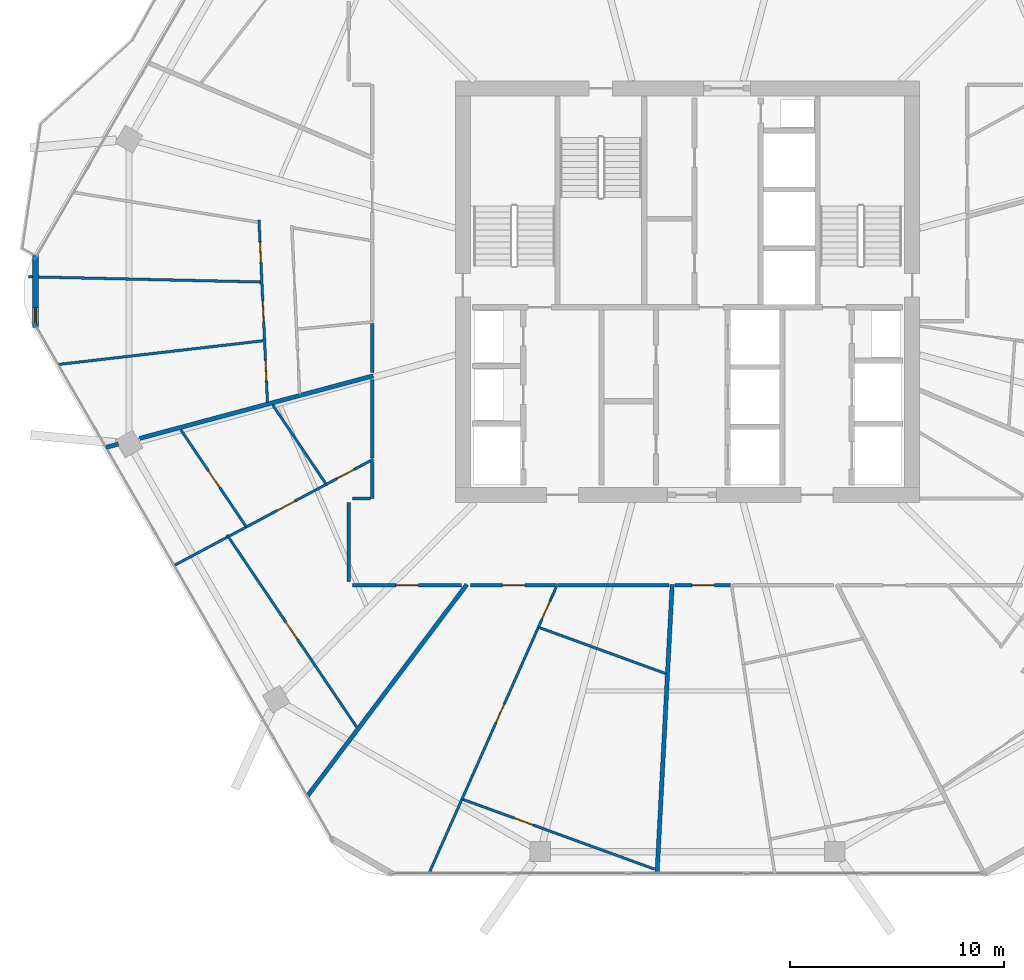
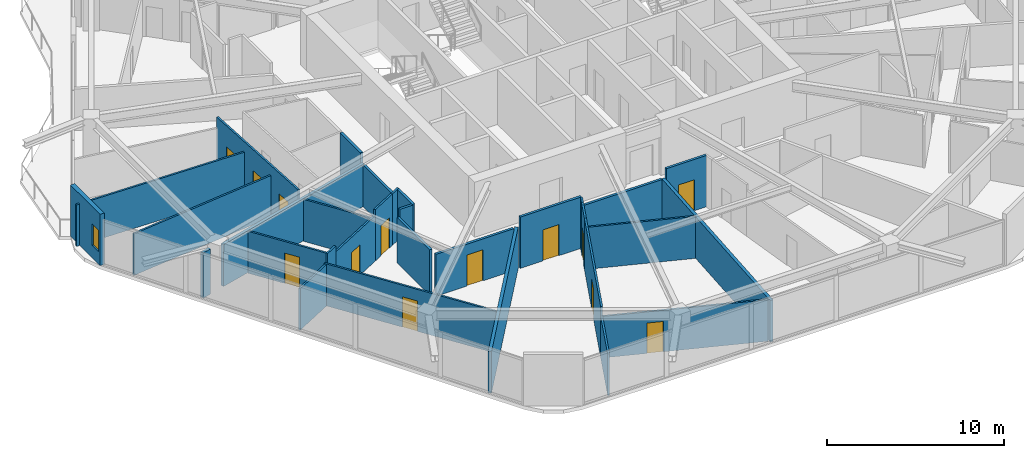
# One storey, part 18 of 27: 31 walls, 13 doors, 1 window, 14 openings.
"""IFC4 building model written with IfcOpenShell, lengths in metres."""

from ifc_helpers import new_model, si_unit, direction, frame, frame_2d, origin, place, context, subcontext, project, spatial, rectangle, extrude, material, layer, layer_set, type_object, element, fill, save


model = new_model("IFC4")

# Units and contexts
model_context = context("Model", 3, precision=1e-05, world=origin(), true_north=direction((0.0, 1.0)))
body_context = subcontext(model_context, "Body", "Model", "MODEL_VIEW")
ifc_project = project(units=[si_unit("LENGTHUNIT", "METRE"), si_unit("AREAUNIT", "SQUARE_METRE"), si_unit("VOLUMEUNIT", "CUBIC_METRE"), si_unit("PLANEANGLEUNIT", "RADIAN"), si_unit("MASSUNIT", "GRAM", prefix="KILO")], contexts=[model_context])

# Site, building, storey
site_placement = place(None, origin())
site = spatial("IfcSite", under=ifc_project, at=site_placement, CompositionType="ELEMENT")
building_placement = place(site_placement, origin())
building = spatial("IfcBuilding", under=site, at=building_placement, Name="Zuhravey Tower", CompositionType="ELEMENT")
storey_placement = place(building_placement, frame((0.0, 0.0, 188.39990234375)))
storey = spatial("IfcBuildingStorey", under=building, at=storey_placement, Name="L47", CompositionType="ELEMENT", Elevation=188.39990234375)

# Wall, opening, door
ifc_material_1 = material(Name="Gypsum fire-rated stud partition")
ifc_layer_1 = layer(ifc_material_1, 0.159912109375)
ifc_layer_set_1 = layer_set([ifc_layer_1], Name="Gypsum fire-rated stud partition")
wall_type_1 = type_object("IfcWallType", Name="Corridor Fire Partition 160", PredefinedType="PARTITIONING", material=ifc_layer_set_1)
wall_1_placement = place(storey_placement, frame((20.35009765625, 18.27001953125, 0.0), z_axis=(0.0, 0.0, 1.0), x_axis=(1.0, 0.0, 0.0)))
wall_1 = element("IfcWall", 1, at=wall_1_placement, inside=storey, type_object=wall_type_1, Name="L47 IW16 Partition 042", PredefinedType="PARTITIONING", context=body_context, shape_type="SweptSolid", body=[
    extrude(rectangle(XDim=5.08935546875, YDim=0.159912109375, at=frame_2d((2.544677734375, 0.0))), origin(), (0.0, 0.0, 1.0), 2.900146484375),
])
opening_1_placement = place(wall_1_placement, frame((2.019775390625, 0.0, 0.0)))
opening_1 = element("IfcOpeningElement", 2, at=opening_1_placement, cuts=wall_1, Name="Opening APD1", PredefinedType="OPENING", context=body_context, shape_type="SweptSolid", body=[
    extrude(rectangle(XDim=1.050048828125, YDim=2.14990234375, at=frame_2d((0.52490234375, 1.074951171875))), frame((0.0, 0.092041015625, 0.0), z_axis=(0.0, -1.0, 0.0), x_axis=(1.0, 0.0, 0.0)), (0.0, 0.0, 1.0), 0.183837890625),
])
ifc_material_2 = material(Name="Solid-core oak fire-rated leaf")
door_type_1 = type_object("IfcDoorType", Name="Apartment Entrance Fire Door 1050x2150", OperationType="NOTDEFINED", PredefinedType="DOOR", material=ifc_material_2)
door_1_placement = place(opening_1_placement, frame((1.050048828125, 0.0, 0.0), z_axis=(0.0, 0.0, 1.0), x_axis=(-1.0, 0.0, 0.0)))
door_1 = element("IfcDoor", 3, at=door_1_placement, inside=storey, type_object=door_type_1, Name="L47 Door 042.1", OperationType="SINGLE_SWING_RIGHT", OverallHeight=2.14990234375, OverallWidth=1.050048828125, PredefinedType="DOOR", context=body_context, shape_type="SweptSolid", body=[
    extrude(rectangle(XDim=1.050048828125, YDim=2.14990234375, at=frame_2d((0.52490234375, 1.074951171875))), frame((0.0, 0.02490234375, 0.0), z_axis=(0.0, -1.0, 0.0), x_axis=(1.0, 0.0, 0.0)), (0.0, 0.0, 1.0), 0.050048828125),
])
fill(opening_1, door_1)

wall_2_placement = place(storey_placement, frame((25.865234375, 18.27001953125, 0.0), z_axis=(0.0, 0.0, 1.0), x_axis=(1.0, 0.0, 0.0)))
wall_2 = element("IfcWall", 4, at=wall_2_placement, inside=storey, type_object=wall_type_1, Name="L47 IW16 Partition 046", PredefinedType="PARTITIONING", context=body_context, shape_type="SweptSolid", body=[
    extrude(rectangle(XDim=4.011474609375, YDim=0.159912109375, at=frame_2d((2.005859375, 0.0))), origin(), (0.0, 0.0, 1.0), 3.550048828125),
])
opening_2_placement = place(wall_2_placement, frame((1.480712890625, 0.0, 0.0)))
opening_2 = element("IfcOpeningElement", 5, at=opening_2_placement, cuts=wall_2, Name="Opening APD1", PredefinedType="OPENING", context=body_context, shape_type="SweptSolid", body=[
    extrude(rectangle(XDim=1.050048828125, YDim=2.14990234375, at=frame_2d((0.52490234375, 1.074951171875))), frame((0.0, 0.092041015625, 0.0), z_axis=(0.0, -1.0, 0.0), x_axis=(1.0, 0.0, 0.0)), (0.0, 0.0, 1.0), 0.183837890625),
])
door_2_placement = place(opening_2_placement, frame((1.050048828125, 0.0, 0.0), z_axis=(0.0, 0.0, 1.0), x_axis=(-1.0, 0.0, 0.0)))
door_2 = element("IfcDoor", 6, at=door_2_placement, inside=storey, type_object=door_type_1, Name="L47 Door 046.1", OperationType="SINGLE_SWING_RIGHT", OverallHeight=2.14990234375, OverallWidth=1.050048828125, PredefinedType="DOOR", context=body_context, shape_type="SweptSolid", body=[
    extrude(rectangle(XDim=1.050048828125, YDim=2.14990234375, at=frame_2d((0.52490234375, 1.074951171875))), frame((0.0, 0.02490234375, 0.0), z_axis=(0.0, -1.0, 0.0), x_axis=(1.0, 0.0, 0.0)), (0.0, 0.0, 1.0), 0.050048828125),
])
fill(opening_2, door_2)

wall_3_placement = place(storey_placement, frame((35.420654296875, 18.27001953125, 0.0), z_axis=(0.0, 0.0, 1.0), x_axis=(1.0, 0.0, 0.0)))
wall_3 = element("IfcWall", 7, at=wall_3_placement, inside=storey, type_object=wall_type_1, Name="L47 IW16 Partition 050", PredefinedType="PARTITIONING", context=body_context, shape_type="SweptSolid", body=[
    extrude(rectangle(XDim=2.615966796875, YDim=0.159912109375, at=frame_2d((1.30810546875, 0.0))), origin(), (0.0, 0.0, 1.0), 3.550048828125),
])
opening_3_placement = place(wall_3_placement, frame((0.782958984375, 0.0, 0.0)))
opening_3 = element("IfcOpeningElement", 8, at=opening_3_placement, cuts=wall_3, Name="Opening APD1", PredefinedType="OPENING", context=body_context, shape_type="SweptSolid", body=[
    extrude(rectangle(XDim=1.050048828125, YDim=2.14990234375, at=frame_2d((0.52490234375, 1.074951171875))), frame((0.0, 0.092041015625, 0.0), z_axis=(0.0, -1.0, 0.0), x_axis=(1.0, 0.0, 0.0)), (0.0, 0.0, 1.0), 0.183837890625),
])
door_3_placement = place(opening_3_placement, frame((1.050048828125, 0.0, 0.0), z_axis=(0.0, 0.0, 1.0), x_axis=(-1.0, 0.0, 0.0)))
door_3 = element("IfcDoor", 9, at=door_3_placement, inside=storey, type_object=door_type_1, Name="L47 Door 050.1", OperationType="SINGLE_SWING_RIGHT", OverallHeight=2.14990234375, OverallWidth=1.050048828125, PredefinedType="DOOR", context=body_context, shape_type="SweptSolid", body=[
    extrude(rectangle(XDim=1.050048828125, YDim=2.14990234375, at=frame_2d((0.52490234375, 1.074951171875))), frame((0.0, 0.02490234375, 0.0), z_axis=(0.0, -1.0, 0.0), x_axis=(1.0, 0.0, 0.0)), (0.0, 0.0, 1.0), 0.050048828125),
])
fill(opening_3, door_3)

# Walls
wall_4_placement = place(storey_placement, frame((21.27001953125, 30.512939453125, 0.0), z_axis=(0.0, 0.0, 1.0), x_axis=(0.0, -1.0, 0.0)))
element("IfcWall", 10, at=wall_4_placement, inside=storey, type_object=wall_type_1, Name="L47 IW16 Partition 137", PredefinedType="PARTITIONING", context=body_context, shape_type="SweptSolid", body=[
    extrude(rectangle(XDim=2.3017578125, YDim=0.159912109375, at=frame_2d((1.15087890625, 0.0))), origin(), (0.0, 0.0, 1.0), 3.550048828125),
])
wall_5_placement = place(storey_placement, frame((20.169921875, 22.14990234375, 0.0), z_axis=(0.0, 0.0, 1.0), x_axis=(0.0, -1.0, 0.0)))
element("IfcWall", 11, at=wall_5_placement, inside=storey, type_object=wall_type_1, Name="L47 IW16 Partition 138", PredefinedType="PARTITIONING", context=body_context, shape_type="SweptSolid", body=[
    extrude(rectangle(XDim=3.699951171875, YDim=0.159912109375, at=frame_2d((1.85009765625, 0.0))), origin(), (0.0, 0.0, 1.0), 3.150146484375),
])
wall_6_placement = place(storey_placement, frame((21.27001953125, 24.064453125, 0.0), z_axis=(0.0, 0.0, 1.0), x_axis=(0.0, -1.0, 0.0)))
element("IfcWall", 12, at=wall_6_placement, inside=storey, type_object=wall_type_1, Name="L47 IW16 Partition 139", PredefinedType="PARTITIONING", context=body_context, shape_type="SweptSolid", body=[
    extrude(rectangle(XDim=1.734375, YDim=0.159912109375, at=frame_2d((0.8671875, 0.0))), origin(), (0.0, 0.0, 1.0), 3.550048828125),
])
wall_7_placement = place(storey_placement, frame((21.181884765625, 22.330078125, 0.0), z_axis=(0.0, 0.0, 1.0), x_axis=(-1.0, 0.0, 0.0)))
element("IfcWall", 13, at=wall_7_placement, inside=storey, type_object=wall_type_1, Name="L47 IW16 Partition 140", PredefinedType="PARTITIONING", context=body_context, shape_type="SweptSolid", body=[
    extrude(rectangle(XDim=0.831787109375, YDim=0.159912109375, at=frame_2d((0.416015625, 0.0))), origin(), (0.0, 0.0, 1.0), 3.550048828125),
])
wall_8_placement = place(storey_placement, frame((21.27001953125, 27.894287109375, 0.0), z_axis=(0.0, 0.0, 1.0), x_axis=(0.0, -1.0, 0.0)))
element("IfcWall", 14, at=wall_8_placement, inside=storey, type_object=wall_type_1, Name="L47 IW16 Partition 141", PredefinedType="PARTITIONING", context=body_context, shape_type="SweptSolid", body=[
    extrude(rectangle(XDim=3.67578125, YDim=0.159912109375, at=frame_2d((1.837890625, 0.0))), origin(), (0.0, 0.0, 1.0), 2.900146484375),
])
wall_9_placement = place(storey_placement, frame((29.92041015625, 18.27001953125, 0.0), z_axis=(0.0, 0.0, 1.0), x_axis=(1.0, 0.0, 0.0)))
element("IfcWall", 15, at=wall_9_placement, inside=storey, type_object=wall_type_1, Name="L47 IW16 Partition 142", PredefinedType="PARTITIONING", context=body_context, shape_type="SweptSolid", body=[
    extrude(rectangle(XDim=5.2197265625, YDim=0.159912109375, at=frame_2d((2.60986328125, 0.0))), origin(), (0.0, 0.0, 1.0), 2.900146484375),
])

# Wall, opening, window
ifc_material_3 = material(Name="Precast concrete C40/50", Category="concrete")
ifc_layer_2 = layer(ifc_material_3, 0.280029296875)
ifc_layer_set_2 = layer_set([ifc_layer_2], Name="Precast concrete C40/50")
wall_type_2 = type_object("IfcWallType", Name="Crown Architectural Wall 280", PredefinedType="SOLIDWALL", material=ifc_layer_set_2)
wall_10_placement = place(storey_placement, frame((5.5283203125, 30.3173828125, 0.0), z_axis=(0.0, 0.0, 1.0), x_axis=(0.0, 1.0, 0.0)))
wall_10 = element("IfcWall", 16, at=wall_10_placement, inside=storey, type_object=wall_type_2, Name="L47 Rounded Corner Closure Wall EW28-06", PredefinedType="SOLIDWALL", context=body_context, shape_type="SweptSolid", body=[
    extrude(rectangle(XDim=3.365234375, YDim=0.280029296875, at=frame_2d((1.6826171875, 0.0))), origin(), (0.0, 0.0, 1.0), 3.550048828125),
])
opening_4_placement = place(wall_10_placement, frame((0.17919921875, 0.0, 0.85009765625)))
opening_4 = element("IfcOpeningElement", 17, at=opening_4_placement, cuts=wall_10, Name="Opening WN5", PredefinedType="OPENING", context=body_context, shape_type="SweptSolid", body=[
    extrude(rectangle(XDim=0.75, YDim=1.5, at=frame_2d((0.375, 0.75))), frame((0.0, 0.152099609375, 0.0), z_axis=(0.0, -1.0, 0.0), x_axis=(1.0, 0.0, 0.0)), (0.0, 0.0, 1.0), 0.303955078125),
])
ifc_material_4 = material(Name="Thermally broken aluminium and triple low-E glass", Category="aluminium")
window_type = type_object("IfcWindowType", Name="Residential Corner Casement Window 750x1500", PartitioningType="SINGLE_PANEL", PredefinedType="WINDOW", material=ifc_material_4)
window_placement = place(opening_4_placement, origin())
window = element("IfcWindow", 18, at=window_placement, inside=storey, type_object=window_type, Name="L47 Corner Casement Window WN5-06.1", OverallHeight=1.5, OverallWidth=0.75, PartitioningType="SINGLE_PANEL", PredefinedType="WINDOW", context=body_context, shape_type="SweptSolid", body=[
    extrude(rectangle(XDim=0.75, YDim=1.5, at=frame_2d((0.375, 0.75))), frame((0.0, 0.030029296875, 0.0), z_axis=(0.0, -1.0, 0.0), x_axis=(1.0, 0.0, 0.0)), (0.0, 0.0, 1.0), 0.06005859375),
])
fill(opening_4, window)

# Walls
ifc_material_5 = material(Name="Gypsum double-stud party assembly")
ifc_layer_3 = layer(ifc_material_5, 0.199951171875)
ifc_layer_set_3 = layer_set([ifc_layer_3], Name="Gypsum double-stud party assembly")
wall_type_3 = type_object("IfcWallType", Name="Inter-Tenancy Party Wall 200", PredefinedType="PARTITIONING", material=ifc_layer_set_3)
wall_11_placement = place(storey_placement, frame((21.31005859375, 28.063720703125, 0.0), z_axis=(0.0, 0.0, 1.0), x_axis=(-0.965930030449, -0.258803354456, 0.0)))
element("IfcWall", 19, at=wall_11_placement, inside=storey, type_object=wall_type_3, Name="L47 IW20 Partition 098", PredefinedType="PARTITIONING", context=body_context, shape_type="SweptSolid", body=[
    extrude(rectangle(XDim=11.307861328125, YDim=0.199951171875, at=frame_2d((5.65380859375, 0.0))), origin(), (0.0, 0.0, 1.0), 2.900146484375),
])
wall_12_placement = place(storey_placement, frame((9.3974609375, 24.871826171875, 0.0), z_axis=(0.0, 0.0, 1.0), x_axis=(-0.965944425699, -0.258749621182, 0.0)))
element("IfcWall", 20, at=wall_12_placement, inside=storey, type_object=wall_type_3, Name="L47 IW20 Partition 099", PredefinedType="PARTITIONING", context=body_context, shape_type="SweptSolid", body=[
    extrude(rectangle(XDim=0.60107421875, YDim=0.199951171875, at=frame_2d((0.300537109375, 0.0))), origin(), (0.0, 0.0, 1.0), 3.1220703125),
])
wall_13_placement = place(storey_placement, frame((25.683837890625, 18.31005859375, 0.0), z_axis=(0.0, 0.0, 1.0), x_axis=(-0.601811441108, -0.798638209299, 0.0)))
element("IfcWall", 21, at=wall_13_placement, inside=storey, type_object=wall_type_3, Name="L47 IW20 Partition 104", PredefinedType="PARTITIONING", context=body_context, shape_type="SweptSolid", body=[
    extrude(rectangle(XDim=12.388916015625, YDim=0.199951171875, at=frame_2d((6.1943359375, 0.0))), origin(), (0.0, 0.0, 1.0), 2.8701171875),
])
wall_14_placement = place(storey_placement, frame((35.282470703125, 18.31005859375, 0.0), z_axis=(0.0, 0.0, 1.0), x_axis=(-0.052327430458, -0.998629981536, 0.0)))
element("IfcWall", 22, at=wall_14_placement, inside=storey, type_object=wall_type_3, Name="L47 IW20 Partition 108", PredefinedType="PARTITIONING", context=body_context, shape_type="SweptSolid", body=[
    extrude(rectangle(XDim=13.51171875, YDim=0.199951171875, at=frame_2d((6.755859375, 0.0))), origin(), (0.0, 0.0, 1.0), 2.8701171875),
])

# Wall, openings, doors
ifc_material_6 = material(Name="Gypsum metal-stud partition")
ifc_layer_4 = layer(ifc_material_6, 0.1201171875)
ifc_layer_set_4 = layer_set([ifc_layer_4], Name="Gypsum metal-stud partition")
wall_type_4 = type_object("IfcWallType", Name="Unit Internal Partition 120", PredefinedType="PARTITIONING", material=ifc_layer_set_4)
wall_15_placement = place(storey_placement, frame((15.9697265625, 35.33837890625, 0.0), z_axis=(0.0, 0.0, 1.0), x_axis=(0.046402278603, -0.998922834127, 0.0)))
wall_15 = element("IfcWall", 23, at=wall_15_placement, inside=storey, type_object=wall_type_4, Name="L47 IW12 Partition 036", PredefinedType="PARTITIONING", context=body_context, shape_type="SweptSolid", body=[
    extrude(rectangle(XDim=8.52880859375, YDim=0.1201171875, at=frame_2d((4.264404296875, 0.0))), origin(), (0.0, 0.0, 1.0), 3.550048828125),
])
opening_5_placement = place(wall_15_placement, frame((1.022216796875, 0.0, 0.0)))
opening_5 = element("IfcOpeningElement", 24, at=opening_5_placement, cuts=wall_15, Name="Opening IND1", PredefinedType="OPENING", context=body_context, shape_type="SweptSolid", body=[
    extrude(rectangle(XDim=0.949951171875, YDim=2.10009765625, at=frame_2d((0.47509765625, 1.050048828125))), frame((0.0, 0.072021484375, 0.0), z_axis=(0.0, -1.0, 0.0), x_axis=(1.0, 0.0, 0.0)), (0.0, 0.0, 1.0), 0.14404296875),
])
opening_6_placement = place(wall_15_placement, frame((3.789306640625, 0.0, 0.0)))
opening_6 = element("IfcOpeningElement", 25, at=opening_6_placement, cuts=wall_15, Name="Opening IND1", PredefinedType="OPENING", context=body_context, shape_type="SweptSolid", body=[
    extrude(rectangle(XDim=0.949951171875, YDim=2.10009765625, at=frame_2d((0.47509765625, 1.050048828125))), frame((0.0, 0.072021484375, 0.0), z_axis=(0.0, -1.0, 0.0), x_axis=(1.0, 0.0, 0.0)), (0.0, 0.0, 1.0), 0.14404296875),
])
opening_7_placement = place(wall_15_placement, frame((6.556396484375, 0.0, 0.0)))
opening_7 = element("IfcOpeningElement", 26, at=opening_7_placement, cuts=wall_15, Name="Opening IND1", PredefinedType="OPENING", context=body_context, shape_type="SweptSolid", body=[
    extrude(rectangle(XDim=0.949951171875, YDim=2.10009765625, at=frame_2d((0.47509765625, 1.050048828125))), frame((0.0, 0.072021484375, 0.0), z_axis=(0.0, -1.0, 0.0), x_axis=(1.0, 0.0, 0.0)), (0.0, 0.0, 1.0), 0.14404296875),
])
ifc_material_7 = material(Name="Painted engineered timber leaf", Category="wood")
door_type_2 = type_object("IfcDoorType", Name="Internal Room & Bedroom Door 950x2100", OperationType="NOTDEFINED", PredefinedType="DOOR", material=ifc_material_7)
door_4_placement = place(opening_5_placement, frame((0.949951171875, 0.0, 0.0), z_axis=(0.0, 0.0, 1.0), x_axis=(-1.0, 0.0, 0.0)))
door_4 = element("IfcDoor", 27, at=door_4_placement, inside=storey, type_object=door_type_2, Name="Apartment L47-05 Bedroom 1 Door", OperationType="SINGLE_SWING_RIGHT", OverallHeight=2.10009765625, OverallWidth=0.949951171875, PredefinedType="DOOR", context=body_context, shape_type="SweptSolid", body=[
    extrude(rectangle(XDim=0.949951171875, YDim=2.10009765625, at=frame_2d((0.47509765625, 1.050048828125))), frame((0.0, 0.02490234375, 0.0), z_axis=(0.0, -1.0, 0.0), x_axis=(1.0, 0.0, 0.0)), (0.0, 0.0, 1.0), 0.050048828125),
])
fill(opening_5, door_4)
door_5_placement = place(opening_6_placement, frame((0.949951171875, 0.0, 0.0), z_axis=(0.0, 0.0, 1.0), x_axis=(-1.0, 0.0, 0.0)))
door_5 = element("IfcDoor", 28, at=door_5_placement, inside=storey, type_object=door_type_2, Name="Apartment L47-05 Bedroom 2 Door", OperationType="SINGLE_SWING_LEFT", OverallHeight=2.10009765625, OverallWidth=0.949951171875, PredefinedType="DOOR", context=body_context, shape_type="SweptSolid", body=[
    extrude(rectangle(XDim=0.949951171875, YDim=2.10009765625, at=frame_2d((0.47509765625, 1.050048828125))), frame((0.0, 0.02490234375, 0.0), z_axis=(0.0, -1.0, 0.0), x_axis=(1.0, 0.0, 0.0)), (0.0, 0.0, 1.0), 0.050048828125),
])
fill(opening_6, door_5)
door_6_placement = place(opening_7_placement, frame((0.949951171875, 0.0, 0.0), z_axis=(0.0, 0.0, 1.0), x_axis=(-1.0, 0.0, 0.0)))
door_6 = element("IfcDoor", 29, at=door_6_placement, inside=storey, type_object=door_type_2, Name="Apartment L47-05 Bedroom 3 Door", OperationType="SINGLE_SWING_RIGHT", OverallHeight=2.10009765625, OverallWidth=0.949951171875, PredefinedType="DOOR", context=body_context, shape_type="SweptSolid", body=[
    extrude(rectangle(XDim=0.949951171875, YDim=2.10009765625, at=frame_2d((0.47509765625, 1.050048828125))), frame((0.0, 0.02490234375, 0.0), z_axis=(0.0, -1.0, 0.0), x_axis=(1.0, 0.0, 0.0)), (0.0, 0.0, 1.0), 0.050048828125),
])
fill(opening_7, door_6)

# Wall, opening, door
wall_16_placement = place(storey_placement, frame((14.474609375, 20.62939453125, 0.0), z_axis=(0.0, 0.0, 1.0), x_axis=(0.559188221227, -0.829040730749, 0.0)))
wall_16 = element("IfcWall", 30, at=wall_16_placement, inside=storey, type_object=wall_type_4, Name="L47 IW12 Partition 038", PredefinedType="PARTITIONING", context=body_context, shape_type="SweptSolid", body=[
    extrude(rectangle(XDim=10.814208984375, YDim=0.1201171875, at=frame_2d((5.4072265625, 0.0))), origin(), (0.0, 0.0, 1.0), 2.900146484375),
])
opening_8_placement = place(wall_16_placement, frame((4.93212890625, 0.0, 0.0)))
opening_8 = element("IfcOpeningElement", 31, at=opening_8_placement, cuts=wall_16, Name="Opening IND1", PredefinedType="OPENING", context=body_context, shape_type="SweptSolid", body=[
    extrude(rectangle(XDim=0.949951171875, YDim=2.10009765625, at=frame_2d((0.47509765625, 1.050048828125))), frame((0.0, 0.072021484375, 0.0), z_axis=(0.0, -1.0, 0.0), x_axis=(1.0, 0.0, 0.0)), (0.0, 0.0, 1.0), 0.14404296875),
])
door_7_placement = place(opening_8_placement, frame((0.949951171875, 0.0, 0.0), z_axis=(0.0, 0.0, 1.0), x_axis=(-1.0, 0.0, 0.0)))
door_7 = element("IfcDoor", 32, at=door_7_placement, inside=storey, type_object=door_type_2, Name="Apartment L47-06 Family Study Door", OperationType="SINGLE_SWING_RIGHT", OverallHeight=2.10009765625, OverallWidth=0.949951171875, PredefinedType="DOOR", context=body_context, shape_type="SweptSolid", body=[
    extrude(rectangle(XDim=0.949951171875, YDim=2.10009765625, at=frame_2d((0.47509765625, 1.050048828125))), frame((0.0, 0.02490234375, 0.0), z_axis=(0.0, -1.0, 0.0), x_axis=(1.0, 0.0, 0.0)), (0.0, 0.0, 1.0), 0.050048828125),
])
fill(opening_8, door_7)

wall_17_placement = place(storey_placement, frame((20.699951171875, 23.83740234375, 0.0), z_axis=(0.0, 0.0, 1.0), x_axis=(-0.882312188204, -0.47066463915, 0.0)))
wall_17 = element("IfcWall", 33, at=wall_17_placement, inside=storey, type_object=wall_type_4, Name="L47 IW12 Partition 039", PredefinedType="PARTITIONING", context=body_context, shape_type="SweptSolid", body=[
    extrude(rectangle(XDim=1.82421875, YDim=0.1201171875, at=frame_2d((0.912109375, 0.0))), origin(), (0.0, 0.0, 1.0), 3.550048828125),
])
opening_9_placement = place(wall_17_placement, frame((0.31640625, 0.0, 0.0)))
opening_9 = element("IfcOpeningElement", 34, at=opening_9_placement, cuts=wall_17, Name="Opening WCD1", PredefinedType="OPENING", context=body_context, shape_type="SweptSolid", body=[
    extrude(rectangle(XDim=0.89990234375, YDim=2.10009765625, at=frame_2d((0.449951171875, 1.050048828125))), frame((0.0, 0.072021484375, 0.0), z_axis=(0.0, -1.0, 0.0), x_axis=(1.0, 0.0, 0.0)), (0.0, 0.0, 1.0), 0.14404296875),
])
ifc_material_8 = material(Name="Moisture-resistant timber leaf", Category="wood")
door_type_3 = type_object("IfcDoorType", Name="Bathroom & WC Internal Door 900x2100", OperationType="NOTDEFINED", PredefinedType="DOOR", material=ifc_material_8)
door_8_placement = place(opening_9_placement, frame((0.89990234375, 0.0, 0.0), z_axis=(0.0, 0.0, 1.0), x_axis=(-1.0, 0.0, 0.0)))
door_8 = element("IfcDoor", 35, at=door_8_placement, inside=storey, type_object=door_type_3, Name="Apartment L47-06 Bathroom Door", OperationType="SINGLE_SWING_LEFT", OverallHeight=2.10009765625, OverallWidth=0.89990234375, PredefinedType="DOOR", context=body_context, shape_type="SweptSolid", body=[
    extrude(rectangle(XDim=0.89990234375, YDim=2.10009765625, at=frame_2d((0.449951171875, 1.050048828125))), frame((0.0, 0.02490234375, 0.0), z_axis=(0.0, -1.0, 0.0), x_axis=(1.0, 0.0, 0.0)), (0.0, 0.0, 1.0), 0.050048828125),
])
fill(opening_9, door_8)

wall_18_placement = place(storey_placement, frame((19.09033203125, 22.978515625, 0.0), z_axis=(0.0, 0.0, 1.0), x_axis=(-0.882290665846, -0.470704982936, 0.0)))
wall_18 = element("IfcWall", 36, at=wall_18_placement, inside=storey, type_object=wall_type_4, Name="L47 IW12 Partition 040", PredefinedType="PARTITIONING", context=body_context, shape_type="SweptSolid", body=[
    extrude(rectangle(XDim=4.23291015625, YDim=0.1201171875, at=frame_2d((2.116455078125, 0.0))), origin(), (0.0, 0.0, 1.0), 3.150146484375),
])
opening_10_placement = place(wall_18_placement, frame((1.616455078125, 0.0, 0.0)))
opening_10 = element("IfcOpeningElement", 37, at=opening_10_placement, cuts=wall_18, Name="Opening IND1", PredefinedType="OPENING", context=body_context, shape_type="SweptSolid", body=[
    extrude(rectangle(XDim=0.949951171875, YDim=2.10009765625, at=frame_2d((0.47509765625, 1.050048828125))), frame((0.0, 0.072021484375, 0.0), z_axis=(0.0, -1.0, 0.0), x_axis=(1.0, 0.0, 0.0)), (0.0, 0.0, 1.0), 0.14404296875),
])
door_9_placement = place(opening_10_placement, frame((0.949951171875, 0.0, 0.0), z_axis=(0.0, 0.0, 1.0), x_axis=(-1.0, 0.0, 0.0)))
door_9 = element("IfcDoor", 38, at=door_9_placement, inside=storey, type_object=door_type_2, Name="Apartment L47-06 Home Office Door", OperationType="SINGLE_SWING_RIGHT", OverallHeight=2.10009765625, OverallWidth=0.949951171875, PredefinedType="DOOR", context=body_context, shape_type="SweptSolid", body=[
    extrude(rectangle(XDim=0.949951171875, YDim=2.10009765625, at=frame_2d((0.47509765625, 1.050048828125))), frame((0.0, 0.02490234375, 0.0), z_axis=(0.0, -1.0, 0.0), x_axis=(1.0, 0.0, 0.0)), (0.0, 0.0, 1.0), 0.050048828125),
])
fill(opening_10, door_9)

wall_19_placement = place(storey_placement, frame((12.31689453125, 25.535888671875, 0.0), z_axis=(0.0, 0.0, 1.0), x_axis=(0.559205201825, -0.829029277078, 0.0)))
wall_19 = element("IfcWall", 39, at=wall_19_placement, inside=storey, type_object=wall_type_4, Name="L47 IW12 Partition 041", PredefinedType="PARTITIONING", context=body_context, shape_type="SweptSolid", body=[
    extrude(rectangle(XDim=5.4052734375, YDim=0.1201171875, at=frame_2d((2.70263671875, 0.0))), origin(), (0.0, 0.0, 1.0), 2.900146484375),
])
opening_11_placement = place(wall_19_placement, frame((2.31201171875, 0.0, 0.0)))
opening_11 = element("IfcOpeningElement", 40, at=opening_11_placement, cuts=wall_19, Name="Opening IND1", PredefinedType="OPENING", context=body_context, shape_type="SweptSolid", body=[
    extrude(rectangle(XDim=0.949951171875, YDim=2.10009765625, at=frame_2d((0.47509765625, 1.050048828125))), frame((0.0, 0.072021484375, 0.0), z_axis=(0.0, -1.0, 0.0), x_axis=(1.0, 0.0, 0.0)), (0.0, 0.0, 1.0), 0.14404296875),
])
door_10_placement = place(opening_11_placement, frame((0.949951171875, 0.0, 0.0), z_axis=(0.0, 0.0, 1.0), x_axis=(-1.0, 0.0, 0.0)))
door_10 = element("IfcDoor", 41, at=door_10_placement, inside=storey, type_object=door_type_2, Name="Apartment L47-06 Bedroom 1 Door", OperationType="SINGLE_SWING_LEFT", OverallHeight=2.10009765625, OverallWidth=0.949951171875, PredefinedType="DOOR", context=body_context, shape_type="SweptSolid", body=[
    extrude(rectangle(XDim=0.949951171875, YDim=2.10009765625, at=frame_2d((0.47509765625, 1.050048828125))), frame((0.0, 0.02490234375, 0.0), z_axis=(0.0, -1.0, 0.0), x_axis=(1.0, 0.0, 0.0)), (0.0, 0.0, 1.0), 0.050048828125),
])
fill(opening_11, door_10)

wall_20_placement = place(storey_placement, frame((29.645263671875, 17.699951171875, 0.0), z_axis=(0.0, 0.0, 1.0), x_axis=(-0.406138466053, -0.91381154862, 0.0)))
wall_20 = element("IfcWall", 42, at=wall_20_placement, inside=storey, type_object=wall_type_4, Name="L47 IW12 Partition 043", PredefinedType="PARTITIONING", context=body_context, shape_type="SweptSolid", body=[
    extrude(rectangle(XDim=1.543701171875, YDim=0.1201171875, at=frame_2d((0.77197265625, 0.0))), origin(), (0.0, 0.0, 1.0), 3.550048828125),
])
opening_12_placement = place(wall_20_placement, frame((0.199951171875, 0.0, 0.0)))
opening_12 = element("IfcOpeningElement", 43, at=opening_12_placement, cuts=wall_20, Name="Opening WCD1", PredefinedType="OPENING", context=body_context, shape_type="SweptSolid", body=[
    extrude(rectangle(XDim=0.89990234375, YDim=2.10009765625, at=frame_2d((0.449951171875, 1.050048828125))), frame((0.0, 0.072021484375, 0.0), z_axis=(0.0, -1.0, 0.0), x_axis=(1.0, 0.0, 0.0)), (0.0, 0.0, 1.0), 0.14404296875),
])
door_11_placement = place(opening_12_placement, origin())
door_11 = element("IfcDoor", 44, at=door_11_placement, inside=storey, type_object=door_type_3, Name="Apartment L47-07 Bathroom Door", OperationType="SINGLE_SWING_LEFT", OverallHeight=2.10009765625, OverallWidth=0.89990234375, PredefinedType="DOOR", context=body_context, shape_type="SweptSolid", body=[
    extrude(rectangle(XDim=0.89990234375, YDim=2.10009765625, at=frame_2d((0.449951171875, 1.050048828125))), frame((0.0, 0.02490234375, 0.0), z_axis=(0.0, -1.0, 0.0), x_axis=(1.0, 0.0, 0.0)), (0.0, 0.0, 1.0), 0.050048828125),
])
fill(opening_12, door_11)

wall_21_placement = place(storey_placement, frame((29.018310546875, 16.289306640625, 0.0), z_axis=(0.0, 0.0, 1.0), x_axis=(-0.406112696121, -0.913823001489, 0.0)))
wall_21 = element("IfcWall", 45, at=wall_21_placement, inside=storey, type_object=wall_type_4, Name="L47 IW12 Partition 044", PredefinedType="PARTITIONING", context=body_context, shape_type="SweptSolid", body=[
    extrude(rectangle(XDim=8.790283203125, YDim=0.1201171875, at=frame_2d((4.39501953125, 0.0))), origin(), (0.0, 0.0, 1.0), 3.550048828125),
])
opening_13_placement = place(wall_21_placement, frame((3.89501953125, 0.0, 0.0)))
opening_13 = element("IfcOpeningElement", 46, at=opening_13_placement, cuts=wall_21, Name="Opening IND1", PredefinedType="OPENING", context=body_context, shape_type="SweptSolid", body=[
    extrude(rectangle(XDim=0.949951171875, YDim=2.10009765625, at=frame_2d((0.47509765625, 1.050048828125))), frame((0.0, 0.072021484375, 0.0), z_axis=(0.0, -1.0, 0.0), x_axis=(1.0, 0.0, 0.0)), (0.0, 0.0, 1.0), 0.14404296875),
])
door_12_placement = place(opening_13_placement, origin())
door_12 = element("IfcDoor", 47, at=door_12_placement, inside=storey, type_object=door_type_2, Name="Apartment L47-07 Home Office Door", OperationType="SINGLE_SWING_RIGHT", OverallHeight=2.10009765625, OverallWidth=0.949951171875, PredefinedType="DOOR", context=body_context, shape_type="SweptSolid", body=[
    extrude(rectangle(XDim=0.949951171875, YDim=2.10009765625, at=frame_2d((0.47509765625, 1.050048828125))), frame((0.0, 0.02490234375, 0.0), z_axis=(0.0, -1.0, 0.0), x_axis=(1.0, 0.0, 0.0)), (0.0, 0.0, 1.0), 0.050048828125),
])
fill(opening_13, door_12)

wall_22_placement = place(storey_placement, frame((25.522705078125, 8.256103515625, 0.0), z_axis=(0.0, 0.0, 1.0), x_axis=(0.939699589425, -0.34200099654, 0.0)))
wall_22 = element("IfcWall", 48, at=wall_22_placement, inside=storey, type_object=wall_type_4, Name="L47 IW12 Partition 045", PredefinedType="PARTITIONING", context=body_context, shape_type="SweptSolid", body=[
    extrude(rectangle(XDim=9.499267578125, YDim=0.1201171875, at=frame_2d((4.74951171875, 0.0))), origin(), (0.0, 0.0, 1.0), 2.8701171875),
])
opening_14_placement = place(wall_22_placement, frame((2.51708984375, 0.0, 0.0)))
opening_14 = element("IfcOpeningElement", 49, at=opening_14_placement, cuts=wall_22, Name="Opening IND1", PredefinedType="OPENING", context=body_context, shape_type="SweptSolid", body=[
    extrude(rectangle(XDim=0.949951171875, YDim=2.10009765625, at=frame_2d((0.47509765625, 1.050048828125))), frame((0.0, 0.072021484375, 0.0), z_axis=(0.0, -1.0, 0.0), x_axis=(1.0, 0.0, 0.0)), (0.0, 0.0, 1.0), 0.14404296875),
])
door_13_placement = place(opening_14_placement, frame((0.949951171875, 0.0, 0.0), z_axis=(0.0, 0.0, 1.0), x_axis=(-1.0, 0.0, 0.0)))
door_13 = element("IfcDoor", 50, at=door_13_placement, inside=storey, type_object=door_type_2, Name="Apartment L47-07 Bedroom 1 Door", OperationType="SINGLE_SWING_LEFT", OverallHeight=2.10009765625, OverallWidth=0.949951171875, PredefinedType="DOOR", context=body_context, shape_type="SweptSolid", body=[
    extrude(rectangle(XDim=0.949951171875, YDim=2.10009765625, at=frame_2d((0.47509765625, 1.050048828125))), frame((0.0, 0.02490234375, 0.0), z_axis=(0.0, -1.0, 0.0), x_axis=(1.0, 0.0, 0.0)), (0.0, 0.0, 1.0), 0.050048828125),
])
fill(opening_14, door_13)

# Walls
wall_23_placement = place(storey_placement, frame((16.035888671875, 32.448486328125, 0.0), z_axis=(0.0, 0.0, 1.0), x_axis=(-0.999747897374, 0.02245309993, 0.0)))
element("IfcWall", 51, at=wall_23_placement, inside=storey, type_object=wall_type_4, Name="L47 IW12 Partition 094", PredefinedType="PARTITIONING", context=body_context, shape_type="SweptSolid", body=[
    extrude(rectangle(XDim=10.8515625, YDim=0.1201171875, at=frame_2d((5.42578125, 0.0))), origin(), (0.0, 0.0, 1.0), 2.8701171875),
])
wall_24_placement = place(storey_placement, frame((16.16357421875, 29.702392578125, 0.0), z_axis=(0.0, 0.0, 1.0), x_axis=(-0.993362697123, -0.115024136443, 0.0)))
element("IfcWall", 52, at=wall_24_placement, inside=storey, type_object=wall_type_4, Name="L47 IW12 Partition 095", PredefinedType="PARTITIONING", context=body_context, shape_type="SweptSolid", body=[
    extrude(rectangle(XDim=9.65966796875, YDim=0.1201171875, at=frame_2d((4.829833984375, 0.0))), origin(), (0.0, 0.0, 1.0), 2.8701171875),
])
wall_25_placement = place(storey_placement, frame((21.31494140625, 24.16552734375, 0.0), z_axis=(0.0, 0.0, 1.0), x_axis=(-0.882275365563, -0.470733660705, 0.0)))
element("IfcWall", 53, at=wall_25_placement, inside=storey, type_object=wall_type_4, Name="L47 IW12 Partition 100", PredefinedType="PARTITIONING", context=body_context, shape_type="SweptSolid", body=[
    extrude(rectangle(XDim=0.697021484375, YDim=0.1201171875, at=frame_2d((0.3486328125, 0.0))), origin(), (0.0, 0.0, 1.0), 3.550048828125),
])
wall_26_placement = place(storey_placement, frame((15.355712890625, 20.986083984375, 0.0), z_axis=(0.0, 0.0, 1.0), x_axis=(-0.882282750181, -0.47071981978, 0.0)))
element("IfcWall", 54, at=wall_26_placement, inside=storey, type_object=wall_type_4, Name="L47 IW12 Partition 101", PredefinedType="PARTITIONING", context=body_context, shape_type="SweptSolid", body=[
    extrude(rectangle(XDim=0.86669921875, YDim=0.1201171875, at=frame_2d((0.433349609375, 0.0))), origin(), (0.0, 0.0, 1.0), 3.550048828125),
])
wall_27_placement = place(storey_placement, frame((14.470458984375, 20.513916015625, 0.0), z_axis=(0.0, 0.0, 1.0), x_axis=(-0.882297449113, -0.470692268141, 0.0)))
element("IfcWall", 55, at=wall_27_placement, inside=storey, type_object=wall_type_4, Name="L47 IW12 Partition 102", PredefinedType="PARTITIONING", context=body_context, shape_type="SweptSolid", body=[
    extrude(rectangle(XDim=2.801513671875, YDim=0.1201171875, at=frame_2d((1.40087890625, 0.0))), origin(), (0.0, 0.0, 1.0), 2.8701171875),
])
wall_28_placement = place(storey_placement, frame((16.614501953125, 26.69384765625, 0.0), z_axis=(0.0, 0.0, 1.0), x_axis=(0.559187802585, -0.829041013123, 0.0)))
element("IfcWall", 56, at=wall_28_placement, inside=storey, type_object=wall_type_4, Name="L47 IW12 Partition 103", PredefinedType="PARTITIONING", context=body_context, shape_type="SweptSolid", body=[
    extrude(rectangle(XDim=4.398681640625, YDim=0.1201171875, at=frame_2d((2.19921875, 0.0))), origin(), (0.0, 0.0, 1.0), 2.900146484375),
])
wall_29_placement = place(storey_placement, frame((29.859375, 18.181884765625, 0.0), z_axis=(0.0, 0.0, 1.0), x_axis=(-0.406009598867, -0.913868812045, 0.0)))
element("IfcWall", 57, at=wall_29_placement, inside=storey, type_object=wall_type_4, Name="L47 IW12 Partition 105", PredefinedType="PARTITIONING", context=body_context, shape_type="SweptSolid", body=[
    extrude(rectangle(XDim=0.52734375, YDim=0.1201171875, at=frame_2d((0.263671875, 0.0))), origin(), (0.0, 0.0, 1.0), 3.550048828125),
])
wall_30_placement = place(storey_placement, frame((25.44873046875, 8.256591796875, 0.0), z_axis=(0.0, 0.0, 1.0), x_axis=(-0.406156505526, -0.913803530864, 0.0)))
element("IfcWall", 58, at=wall_30_placement, inside=storey, type_object=wall_type_4, Name="L47 IW12 Partition 106", PredefinedType="PARTITIONING", context=body_context, shape_type="SweptSolid", body=[
    extrude(rectangle(XDim=3.76708984375, YDim=0.1201171875, at=frame_2d((1.883544921875, 0.0))), origin(), (0.0, 0.0, 1.0), 2.8701171875),
])
wall_31_placement = place(storey_placement, frame((29.092529296875, 16.2890625, 0.0), z_axis=(0.0, 0.0, 1.0), x_axis=(0.939683531228, -0.342045115647, 0.0)))
element("IfcWall", 59, at=wall_31_placement, inside=storey, type_object=wall_type_4, Name="L47 IW12 Partition 107", PredefinedType="PARTITIONING", context=body_context, shape_type="SweptSolid", body=[
    extrude(rectangle(XDim=6.294677734375, YDim=0.1201171875, at=frame_2d((3.1474609375, 0.0))), origin(), (0.0, 0.0, 1.0), 2.900146484375),
])

save(model, "model.ifc")
